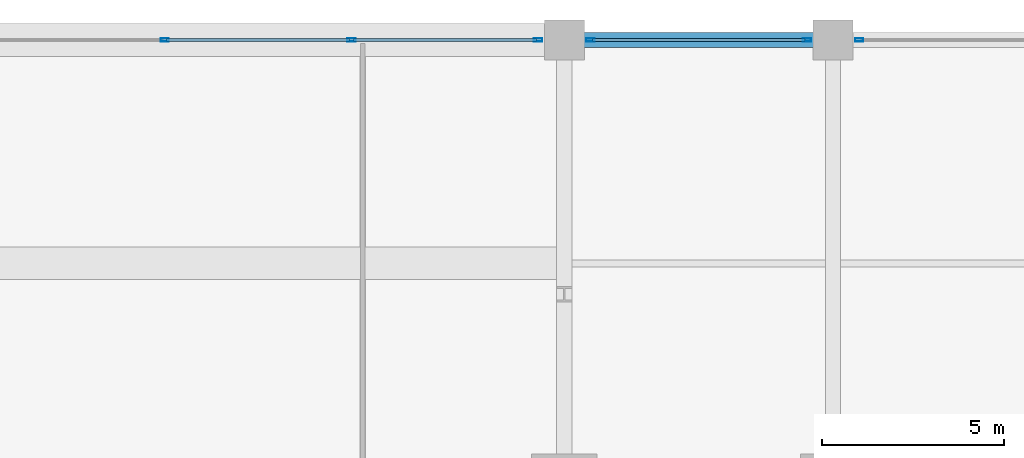
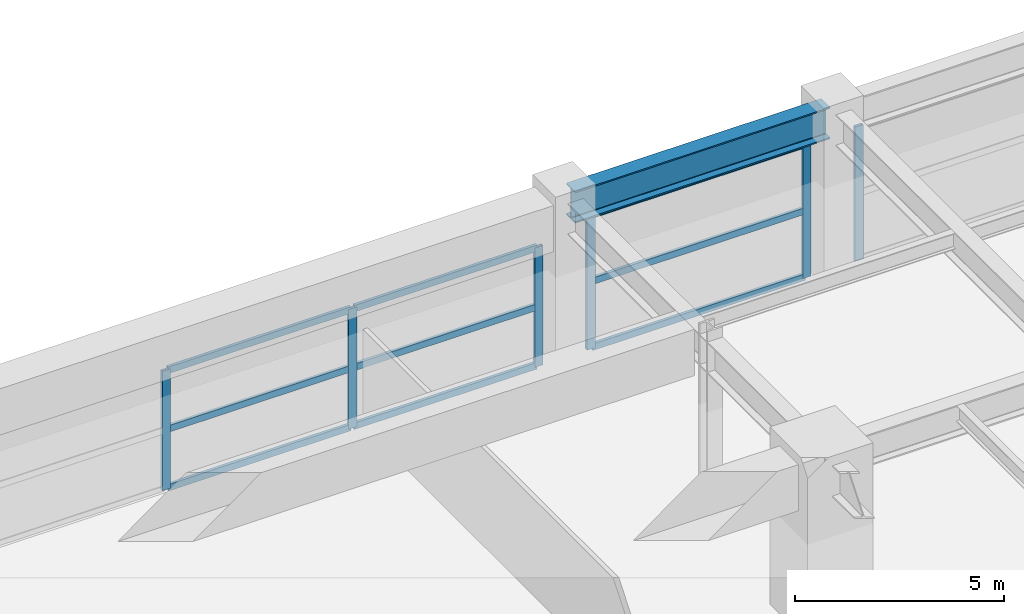
# One storey, part 22 of 43: 15 members, 1 beam, 3 elements without a shape of their own.
"""IFC4 building model written with IfcOpenShell, lengths in metres."""

from ifc_helpers import new_model, si_unit, direction, frame, origin, origin_2d, place, context, subcontext, project, spatial, hollow_rectangle, i_section, extrude, material, material_profile, profile_set, type_object, element, aggregate, save


model = new_model("IFC4")

# Units and contexts
model_context = context("Model", 3, precision=1e-05, world=origin(), true_north=direction((0.0, 1.0)))
body_context = subcontext(model_context, "Body", "Model", "MODEL_VIEW")
ifc_project = project(units=[si_unit("LENGTHUNIT", "METRE"), si_unit("AREAUNIT", "SQUARE_METRE"), si_unit("VOLUMEUNIT", "CUBIC_METRE"), si_unit("PLANEANGLEUNIT", "RADIAN"), si_unit("MASSUNIT", "GRAM", prefix="KILO")], contexts=[model_context])

# Site, building, storey
site_placement = place(None, origin())
site = spatial("IfcSite", under=ifc_project, at=site_placement, CompositionType="ELEMENT")
building_placement = place(site_placement, origin())
building = spatial("IfcBuilding", under=site, at=building_placement, Name="Kovane Verandah Tower", CompositionType="ELEMENT")
storey_placement = place(building_placement, frame((0.0, 0.0, 11.199951171875)))
storey = spatial("IfcBuildingStorey", under=building, at=storey_placement, Name="L02", CompositionType="ELEMENT", Elevation=11.199951171875)

# Beam
ifc_material_1 = material(Name="Steel S460", Category="steel")
ifc_material_profile_1 = material_profile(ifc_material_1, i_section(OverallWidth=0.42041015625, OverallDepth=0.9208984375, WebThickness=0.021484375, FlangeThickness=0.03662109375, FilletRadius=0.024169921875, at=origin_2d()), Name="UB914x419x388")
ifc_profile_set_1 = profile_set([ifc_material_profile_1], Name="Steel S460")
beam_type = type_object("IfcBeamType", Name="BM-UB914x388", PredefinedType="BEAM", material=ifc_profile_set_1)
beam_placement = place(storey_placement, frame((51.179931640625, 56.5, 4.439453125), z_axis=(1.0, 0.0, 0.0), x_axis=(0.0, 1.0, 0.0)))
element("IfcBeam", 1, at=beam_placement, inside=storey, type_object=beam_type, Name="L02 Podium Grid Girder X21", PredefinedType="BEAM", context=body_context, shape_type="SweptSolid", body=[
    extrude(i_section(OverallWidth=0.42041015625, OverallDepth=0.9208984375, WebThickness=0.021484375, FlangeThickness=0.03662109375, FilletRadius=0.024169921875, at=origin_2d()), origin(), (0.0, 0.0, 1.0), 7.0400390625),
])

# Curtain wall, members
ifc_material_2 = material(Name="Champagne Anodised Aluminium Frame with Low-E Clear Laminated Glass", Category="aluminium")
curtain_wall_type = type_object("IfcCurtainWallType", Name="CW-SYS-01-POD", PredefinedType="NOTDEFINED", material=ifc_material_2)
curtain_wall_1_placement = place(storey_placement, origin())
curtain_wall_1 = element("IfcCurtainWall", 2, at=curtain_wall_1_placement, inside=storey, type_object=curtain_wall_type, Name="L02 North Podium Curtain Wall Bay 4", PredefinedType="NOTDEFINED")
ifc_material_3 = material(Name="Champagne Anodised Aluminium 6063-T6", Category="aluminium")
ifc_material_profile_2 = material_profile(ifc_material_3, hollow_rectangle(XDim=0.0849609375, YDim=0.22998046875, WallThickness=0.00390625, at=origin_2d()), Name="AL85x230x4")
ifc_profile_set_2 = profile_set([ifc_material_profile_2], Name="Champagne Anodised Aluminium 6063-T6")
member_type_1 = type_object("IfcMemberType", Name="CW-MUL-85x230", PredefinedType="MULLION", material=ifc_profile_set_2)
member_1_placement = place(storey_placement, frame((50.280029296875, 56.5, 0.02001953125), z_axis=(0.0, 0.0, 1.0), x_axis=(0.0, 1.0, 0.0)))
member_1 = element("IfcMember", 3, at=member_1_placement, type_object=member_type_1, Name="L02 North Podium Curtain Wall Bay 4 Mullion 1", PredefinedType="MULLION", context=body_context, shape_type="SweptSolid", body=[
    extrude(hollow_rectangle(XDim=0.0849609375, YDim=0.22998046875, WallThickness=0.00390625, at=origin_2d()), origin(), (0.0, 0.0, 1.0), 3.489990234375),
])
member_2_placement = place(storey_placement, frame((45.139892578125, 56.5, 0.02001953125), z_axis=(0.0, 0.0, 1.0), x_axis=(0.0, 1.0, 0.0)))
member_2 = element("IfcMember", 4, at=member_2_placement, type_object=member_type_1, Name="L02 North Podium Curtain Wall Bay 4 Mullion 2", PredefinedType="MULLION", context=body_context, shape_type="SweptSolid", body=[
    extrude(hollow_rectangle(XDim=0.0849609375, YDim=0.22998046875, WallThickness=0.00390625, at=origin_2d()), origin(), (0.0, 0.0, 1.0), 3.489990234375),
])
member_3_placement = place(storey_placement, frame((40.0, 56.5, 0.02001953125), z_axis=(0.0, 0.0, 1.0), x_axis=(0.0, 1.0, 0.0)))
member_3 = element("IfcMember", 5, at=member_3_placement, type_object=member_type_1, Name="L02 North Podium Curtain Wall Bay 4 Mullion 3", PredefinedType="MULLION", context=body_context, shape_type="SweptSolid", body=[
    extrude(hollow_rectangle(XDim=0.0849609375, YDim=0.22998046875, WallThickness=0.00390625, at=origin_2d()), origin(), (0.0, 0.0, 1.0), 3.489990234375),
])

curtain_wall_2_placement = place(storey_placement, origin())
curtain_wall_2 = element("IfcCurtainWall", 6, at=curtain_wall_2_placement, inside=storey, type_object=curtain_wall_type, Name="L02 North Podium Curtain Wall Bay 5", PredefinedType="NOTDEFINED")
member_4_placement = place(storey_placement, frame((57.679931640625, 56.5, 0.02001953125), z_axis=(0.0, 0.0, 1.0), x_axis=(0.0, 1.0, 0.0)))
member_4 = element("IfcMember", 7, at=member_4_placement, type_object=member_type_1, Name="L02 North Podium Curtain Wall Bay 5 Mullion 1", PredefinedType="MULLION", context=body_context, shape_type="SweptSolid", body=[
    extrude(hollow_rectangle(XDim=0.0849609375, YDim=0.22998046875, WallThickness=0.00390625, at=origin_2d()), origin(), (0.0, 0.0, 1.0), 3.9189453125),
])
member_5_placement = place(storey_placement, frame((51.719970703125, 56.5, 0.02001953125), z_axis=(0.0, 0.0, 1.0), x_axis=(0.0, 1.0, 0.0)))
member_5 = element("IfcMember", 8, at=member_5_placement, type_object=member_type_1, Name="L02 North Podium Curtain Wall Bay 5 Mullion 2", PredefinedType="MULLION", context=body_context, shape_type="SweptSolid", body=[
    extrude(hollow_rectangle(XDim=0.0849609375, YDim=0.22998046875, WallThickness=0.00390625, at=origin_2d()), origin(), (0.0, 0.0, 1.0), 3.9189453125),
])

# Curtain wall, member
curtain_wall_3_placement = place(storey_placement, origin())
curtain_wall_3 = element("IfcCurtainWall", 9, at=curtain_wall_3_placement, inside=storey, type_object=curtain_wall_type, Name="L02 North Podium Curtain Wall Bay 6", PredefinedType="NOTDEFINED")
member_6_placement = place(storey_placement, frame((59.1201171875, 56.5, 0.02001953125), z_axis=(0.0, 0.0, 1.0), x_axis=(0.0, 1.0, 0.0)))
member_6 = element("IfcMember", 10, at=member_6_placement, type_object=member_type_1, Name="L02 North Podium Curtain Wall Bay 6 Mullion 3", PredefinedType="MULLION", context=body_context, shape_type="SweptSolid", body=[
    extrude(hollow_rectangle(XDim=0.0849609375, YDim=0.22998046875, WallThickness=0.00390625, at=origin_2d()), origin(), (0.0, 0.0, 1.0), 3.9189453125),
])
aggregate(curtain_wall_3, [member_6])

# Member
ifc_material_profile_3 = material_profile(ifc_material_3, hollow_rectangle(XDim=0.0849609375, YDim=0.18994140625, WallThickness=0.00390625, at=origin_2d()), Name="AL85x190x4")
ifc_profile_set_3 = profile_set([ifc_material_profile_3], Name="Champagne Anodised Aluminium 6063-T6")
member_type_2 = type_object("IfcMemberType", Name="CW-TRN-85x190", PredefinedType="USERDEFINED", material=ifc_profile_set_3)
member_7_placement = place(storey_placement, frame((50.22998046875, 56.5, 0.050048828125), z_axis=(-1.0, 0.0, 0.0), x_axis=(0.0, -1.0, 0.0)))
member_7 = element("IfcMember", 11, at=member_7_placement, type_object=member_type_2, Name="L02 North Podium Curtain Wall Bay 4 Transom TB Bay 1", ObjectType="TRANSOM", PredefinedType="USERDEFINED", context=body_context, shape_type="SweptSolid", body=[
    extrude(hollow_rectangle(XDim=0.0849609375, YDim=0.18994140625, WallThickness=0.00390625, at=origin_2d()), origin(), (0.0, 0.0, 1.0), 5.0400390625),
])

member_8_placement = place(storey_placement, frame((50.22998046875, 56.5, 1.76513671875), z_axis=(-1.0, 0.0, 0.0), x_axis=(0.0, -1.0, 0.0)))
member_8 = element("IfcMember", 12, at=member_8_placement, type_object=member_type_2, Name="L02 North Podium Curtain Wall Bay 4 Transom TM Bay 1", ObjectType="TRANSOM", PredefinedType="USERDEFINED", context=body_context, shape_type="SweptSolid", body=[
    extrude(hollow_rectangle(XDim=0.0849609375, YDim=0.18994140625, WallThickness=0.00390625, at=origin_2d()), origin(), (0.0, 0.0, 1.0), 5.0400390625),
])

member_9_placement = place(storey_placement, frame((50.22998046875, 56.5, 3.47998046875), z_axis=(-1.0, 0.0, 0.0), x_axis=(0.0, -1.0, 0.0)))
member_9 = element("IfcMember", 13, at=member_9_placement, type_object=member_type_2, Name="L02 North Podium Curtain Wall Bay 4 Transom TT Bay 1", ObjectType="TRANSOM", PredefinedType="USERDEFINED", context=body_context, shape_type="SweptSolid", body=[
    extrude(hollow_rectangle(XDim=0.0849609375, YDim=0.18994140625, WallThickness=0.00390625, at=origin_2d()), origin(), (0.0, 0.0, 1.0), 5.0400390625),
])

member_10_placement = place(storey_placement, frame((45.090087890625, 56.5, 0.050048828125), z_axis=(-1.0, 0.0, 0.0), x_axis=(0.0, -1.0, 0.0)))
member_10 = element("IfcMember", 14, at=member_10_placement, type_object=member_type_2, Name="L02 North Podium Curtain Wall Bay 4 Transom TB Bay 2", ObjectType="TRANSOM", PredefinedType="USERDEFINED", context=body_context, shape_type="SweptSolid", body=[
    extrude(hollow_rectangle(XDim=0.0849609375, YDim=0.18994140625, WallThickness=0.00390625, at=origin_2d()), origin(), (0.0, 0.0, 1.0), 5.0400390625),
])

member_11_placement = place(storey_placement, frame((45.090087890625, 56.5, 1.76513671875), z_axis=(-1.0, 0.0, 0.0), x_axis=(0.0, -1.0, 0.0)))
member_11 = element("IfcMember", 15, at=member_11_placement, type_object=member_type_2, Name="L02 North Podium Curtain Wall Bay 4 Transom TM Bay 2", ObjectType="TRANSOM", PredefinedType="USERDEFINED", context=body_context, shape_type="SweptSolid", body=[
    extrude(hollow_rectangle(XDim=0.0849609375, YDim=0.18994140625, WallThickness=0.00390625, at=origin_2d()), origin(), (0.0, 0.0, 1.0), 5.0400390625),
])

member_12_placement = place(storey_placement, frame((45.090087890625, 56.5, 3.47998046875), z_axis=(-1.0, 0.0, 0.0), x_axis=(0.0, -1.0, 0.0)))
member_12 = element("IfcMember", 16, at=member_12_placement, type_object=member_type_2, Name="L02 North Podium Curtain Wall Bay 4 Transom TT Bay 2", ObjectType="TRANSOM", PredefinedType="USERDEFINED", context=body_context, shape_type="SweptSolid", body=[
    extrude(hollow_rectangle(XDim=0.0849609375, YDim=0.18994140625, WallThickness=0.00390625, at=origin_2d()), origin(), (0.0, 0.0, 1.0), 5.0400390625),
])

aggregate(curtain_wall_1, [member_1, member_2, member_3, member_7, member_8, member_9, member_10, member_11, member_12])

member_13_placement = place(storey_placement, frame((57.6298828125, 56.5, 0.050048828125), z_axis=(-1.0, 0.0, 0.0), x_axis=(0.0, -1.0, 0.0)))
member_13 = element("IfcMember", 17, at=member_13_placement, type_object=member_type_2, Name="L02 North Podium Curtain Wall Bay 5 Transom TB Bay 1", ObjectType="TRANSOM", PredefinedType="USERDEFINED", context=body_context, shape_type="SweptSolid", body=[
    extrude(hollow_rectangle(XDim=0.0849609375, YDim=0.18994140625, WallThickness=0.00390625, at=origin_2d()), origin(), (0.0, 0.0, 1.0), 5.85986328125),
])

member_14_placement = place(storey_placement, frame((57.6298828125, 56.5, 1.9794921875), z_axis=(-1.0, 0.0, 0.0), x_axis=(0.0, -1.0, 0.0)))
member_14 = element("IfcMember", 18, at=member_14_placement, type_object=member_type_2, Name="L02 North Podium Curtain Wall Bay 5 Transom TM Bay 1", ObjectType="TRANSOM", PredefinedType="USERDEFINED", context=body_context, shape_type="SweptSolid", body=[
    extrude(hollow_rectangle(XDim=0.0849609375, YDim=0.18994140625, WallThickness=0.00390625, at=origin_2d()), origin(), (0.0, 0.0, 1.0), 5.85986328125),
])

member_15_placement = place(storey_placement, frame((57.6298828125, 56.5, 3.908935546875), z_axis=(-1.0, 0.0, 0.0), x_axis=(0.0, -1.0, 0.0)))
member_15 = element("IfcMember", 19, at=member_15_placement, type_object=member_type_2, Name="L02 North Podium Curtain Wall Bay 5 Transom TT Bay 1", ObjectType="TRANSOM", PredefinedType="USERDEFINED", context=body_context, shape_type="SweptSolid", body=[
    extrude(hollow_rectangle(XDim=0.0849609375, YDim=0.18994140625, WallThickness=0.00390625, at=origin_2d()), origin(), (0.0, 0.0, 1.0), 5.85986328125),
])

aggregate(curtain_wall_2, [member_4, member_5, member_13, member_14, member_15])

save(model, "model.ifc")
